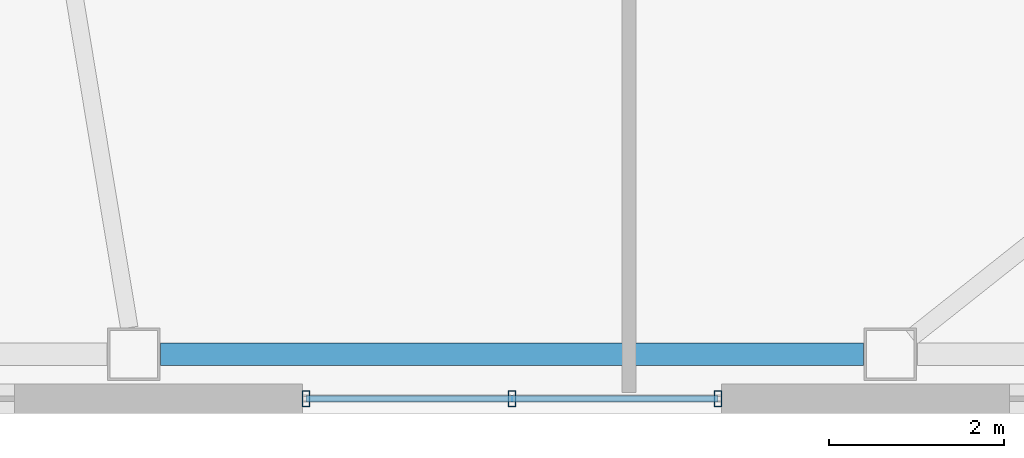
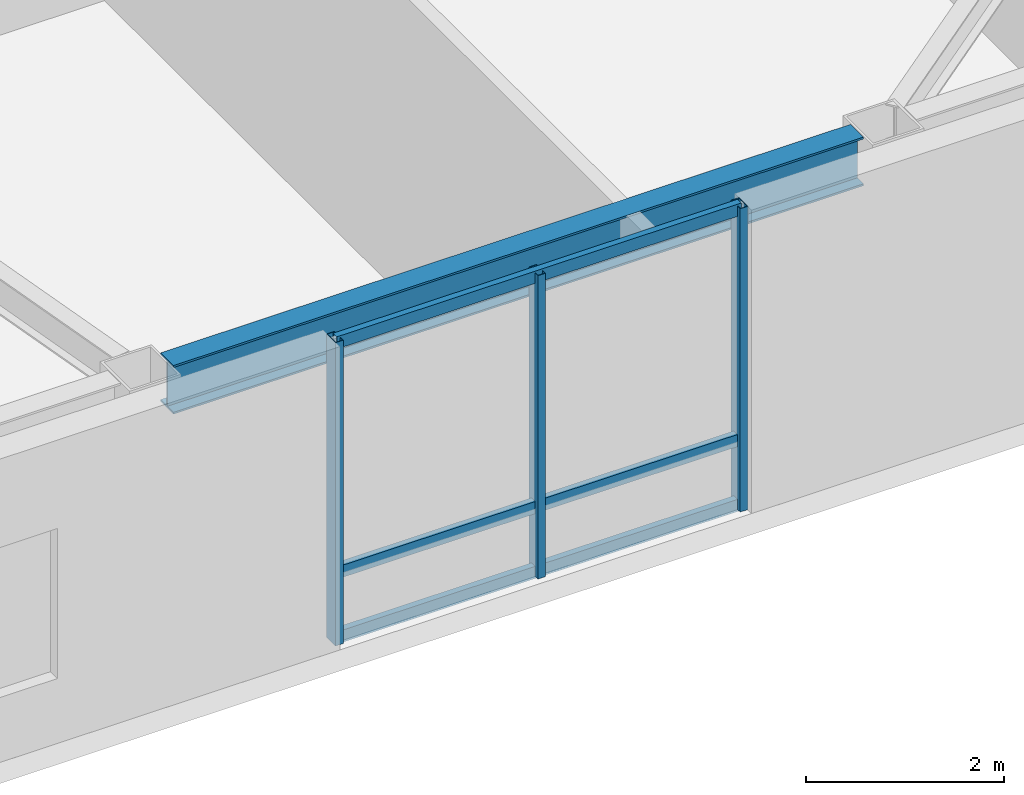
# One storey, part 4 of 18: 6 members, 1 beam, 1 element without a shape of its own.
"""IFC4 building model written with IfcOpenShell, lengths in metres."""

from ifc_helpers import new_model, si_unit, direction, frame, origin, origin_2d, place, context, subcontext, project, spatial, hollow_rectangle, i_section, extrude, material, layer, layer_set, material_profile, profile_set, type_object, element, aggregate, save


model = new_model("IFC4")

# Units and contexts
model_context = context("Model", 3, precision=1e-05, world=origin(), true_north=direction((0.0, 1.0)))
body_context = subcontext(model_context, "Body", "Model", "MODEL_VIEW")
ifc_project = project(units=[si_unit("LENGTHUNIT", "METRE"), si_unit("AREAUNIT", "SQUARE_METRE"), si_unit("VOLUMEUNIT", "CUBIC_METRE"), si_unit("PLANEANGLEUNIT", "RADIAN"), si_unit("MASSUNIT", "GRAM", prefix="KILO")], contexts=[model_context])

# Site, building, storey
site_placement = place(None, origin())
site = spatial("IfcSite", under=ifc_project, at=site_placement, CompositionType="ELEMENT")
building_placement = place(site_placement, origin())
building = spatial("IfcBuilding", under=site, at=building_placement, Name="Tavrogorsk Clinical Tower", CompositionType="ELEMENT")
storey_placement = place(building_placement, frame((0.0, 0.0, 196.199951171875)))
storey = spatial("IfcBuildingStorey", under=building, at=storey_placement, Name="L45", CompositionType="ELEMENT", Elevation=196.199951171875)

# Curtain wall, members
ifc_material_1 = material(Name="Anodised aluminium and triple IGU glazing", Category="aluminium")
ifc_layer = layer(ifc_material_1, 0.179931640625)
ifc_layer_set = layer_set([ifc_layer], Name="Anodised aluminium and triple IGU glazing")
curtain_wall_type = type_object("IfcCurtainWallType", Name="CW3_SouthSlot", PredefinedType="NOTDEFINED", material=ifc_layer_set)
curtain_wall_placement = place(storey_placement, origin())
curtain_wall = element("IfcCurtainWall", 1, at=curtain_wall_placement, inside=storey, type_object=curtain_wall_type, Name="L45 Curtain Wall CW-L45-S-SLOT-2", PredefinedType="NOTDEFINED")
ifc_material_2 = material(Name="Anodised aluminium alloy AW-6060", Category="aluminium")
ifc_material_profile_1 = material_profile(ifc_material_2, hollow_rectangle(XDim=0.090087890625, YDim=0.179931640625, WallThickness=0.00634765625, at=origin_2d()), Name="RHS-180x90x6.3")
ifc_profile_set_1 = profile_set([ifc_material_profile_1], Name="Anodised aluminium alloy AW-6060")
member_type_1 = type_object("IfcMemberType", Name="CwMullion_180x90", PredefinedType="MULLION", material=ifc_profile_set_1)
member_1_placement = place(storey_placement, frame((8.703857421875, -20.929931640625, 0.0), z_axis=(0.0, 0.0, 1.0), x_axis=(1.0, 0.0, 0.0)))
member_1 = element("IfcMember", 2, at=member_1_placement, type_object=member_type_1, Name="CW-L45-S-SLOT-2 Mullion 1", PredefinedType="MULLION", context=body_context, shape_type="SweptSolid", body=[
    extrude(hollow_rectangle(XDim=0.090087890625, YDim=0.179931640625, WallThickness=0.00634765625, at=origin_2d()), origin(), (0.0, 0.0, 1.0), 3.739990234375),
])
member_2_placement = place(storey_placement, frame((11.062744140625, -20.929931640625, 0.0), z_axis=(0.0, 0.0, 1.0), x_axis=(1.0, 0.0, 0.0)))
member_2 = element("IfcMember", 3, at=member_2_placement, type_object=member_type_1, Name="CW-L45-S-SLOT-2 Mullion 2", PredefinedType="MULLION", context=body_context, shape_type="SweptSolid", body=[
    extrude(hollow_rectangle(XDim=0.090087890625, YDim=0.179931640625, WallThickness=0.00634765625, at=origin_2d()), origin(), (0.0, 0.0, 1.0), 3.739990234375),
])
member_3_placement = place(storey_placement, frame((13.421875, -20.929931640625, 0.0), z_axis=(0.0, 0.0, 1.0), x_axis=(1.0, 0.0, 0.0)))
member_3 = element("IfcMember", 4, at=member_3_placement, type_object=member_type_1, Name="CW-L45-S-SLOT-2 Mullion 3", PredefinedType="MULLION", context=body_context, shape_type="SweptSolid", body=[
    extrude(hollow_rectangle(XDim=0.090087890625, YDim=0.179931640625, WallThickness=0.00634765625, at=origin_2d()), origin(), (0.0, 0.0, 1.0), 3.739990234375),
])
ifc_material_3 = material(Name="Anodised aluminium alloy AW-6060", Category="aluminium")
ifc_material_profile_2 = material_profile(ifc_material_3, hollow_rectangle(XDim=0.074951171875, YDim=0.14990234375, WallThickness=0.0048828125, at=origin_2d()), Name="RHS-150x75x5")
ifc_profile_set_2 = profile_set([ifc_material_profile_2], Name="Anodised aluminium alloy AW-6060")
member_type_2 = type_object("IfcMemberType", Name="CwTransom_150x75", PredefinedType="USERDEFINED", material=ifc_profile_set_2)
member_4_placement = place(storey_placement, frame((8.703857421875, -20.929931640625, 0.050048828125), z_axis=(1.0, 0.0, 0.0), x_axis=(0.0, 1.0, 0.0)))
member_4 = element("IfcMember", 5, at=member_4_placement, type_object=member_type_2, Name="CW-L45-S-SLOT-2 Transom 1", ObjectType="TRANSOM", PredefinedType="USERDEFINED", context=body_context, shape_type="SweptSolid", body=[
    extrude(hollow_rectangle(XDim=0.074951171875, YDim=0.14990234375, WallThickness=0.0048828125, at=origin_2d()), origin(), (0.0, 0.0, 1.0), 4.718017578125),
])
member_5_placement = place(storey_placement, frame((8.703857421875, -20.929931640625, 0.85009765625), z_axis=(1.0, 0.0, 0.0), x_axis=(0.0, 1.0, 0.0)))
member_5 = element("IfcMember", 6, at=member_5_placement, type_object=member_type_2, Name="CW-L45-S-SLOT-2 Transom 2", ObjectType="TRANSOM", PredefinedType="USERDEFINED", context=body_context, shape_type="SweptSolid", body=[
    extrude(hollow_rectangle(XDim=0.074951171875, YDim=0.14990234375, WallThickness=0.0048828125, at=origin_2d()), origin(), (0.0, 0.0, 1.0), 4.718017578125),
])
member_6_placement = place(storey_placement, frame((8.703857421875, -20.929931640625, 3.68994140625), z_axis=(1.0, 0.0, 0.0), x_axis=(0.0, 1.0, 0.0)))
member_6 = element("IfcMember", 7, at=member_6_placement, type_object=member_type_2, Name="CW-L45-S-SLOT-2 Transom 3", ObjectType="TRANSOM", PredefinedType="USERDEFINED", context=body_context, shape_type="SweptSolid", body=[
    extrude(hollow_rectangle(XDim=0.074951171875, YDim=0.14990234375, WallThickness=0.0048828125, at=origin_2d()), origin(), (0.0, 0.0, 1.0), 4.718017578125),
])
aggregate(curtain_wall, [member_1, member_2, member_3, member_4, member_5, member_6])

# Beam
ifc_material_4 = material(Name="Structural steel S390", Category="steel")
ifc_material_profile_3 = material_profile(ifc_material_4, i_section(OverallWidth=0.260009765625, OverallDepth=0.60009765625, WebThickness=0.014892578125, FlangeThickness=0.02392578125, at=origin_2d()), Name="B-600x260x15x24")
ifc_profile_set_3 = profile_set([ifc_material_profile_3], Name="Structural steel S390")
beam_type = type_object("IfcBeamType", Name="SpandrelBeam_B600", PredefinedType="SPANDREL", material=ifc_profile_set_3)
beam_placement = place(storey_placement, frame((7.039306640625, -20.419921875, 3.43994140625), z_axis=(1.0, 0.0, 0.0), x_axis=(0.0, 1.0, 0.0)))
element("IfcBeam", 8, at=beam_placement, inside=storey, type_object=beam_type, Name="L45 Perimeter Spandrel S5-S6", PredefinedType="SPANDREL", context=body_context, shape_type="SweptSolid", body=[
    extrude(i_section(OverallWidth=0.260009765625, OverallDepth=0.60009765625, WebThickness=0.014892578125, FlangeThickness=0.02392578125, at=origin_2d()), origin(), (0.0, 0.0, 1.0), 8.046875),
])

save(model, "model.ifc")
